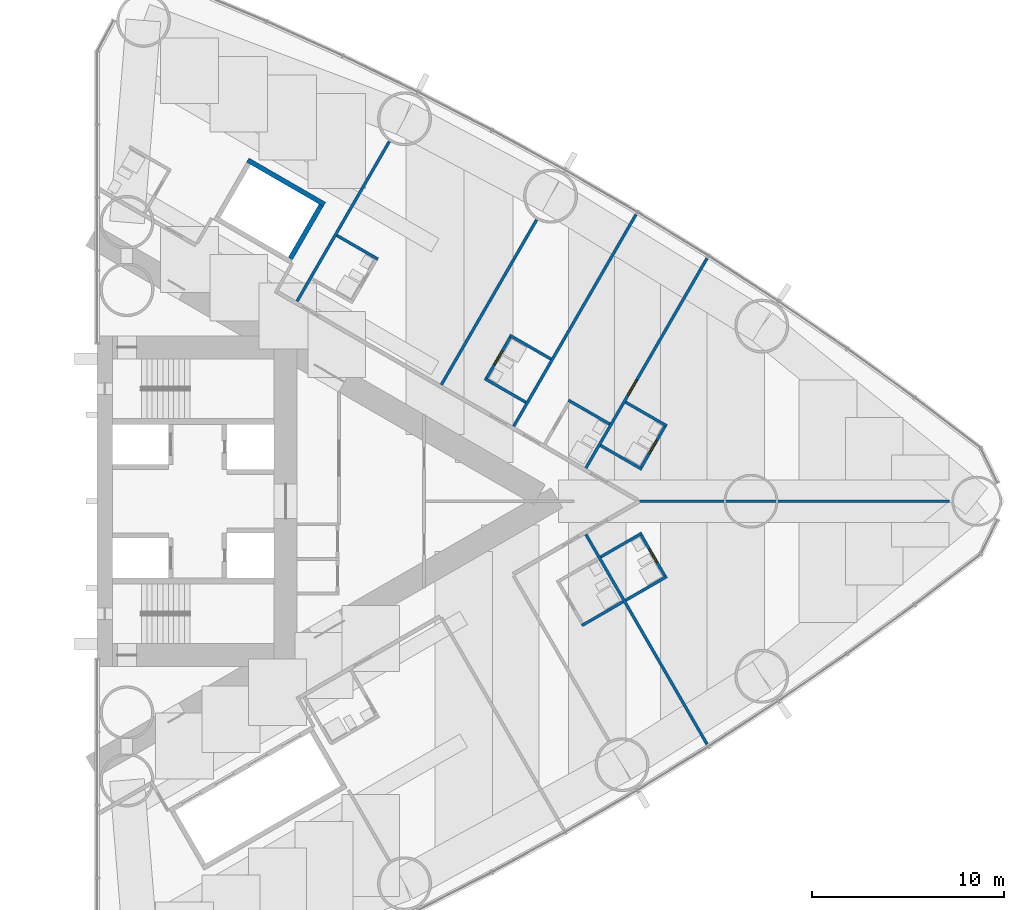
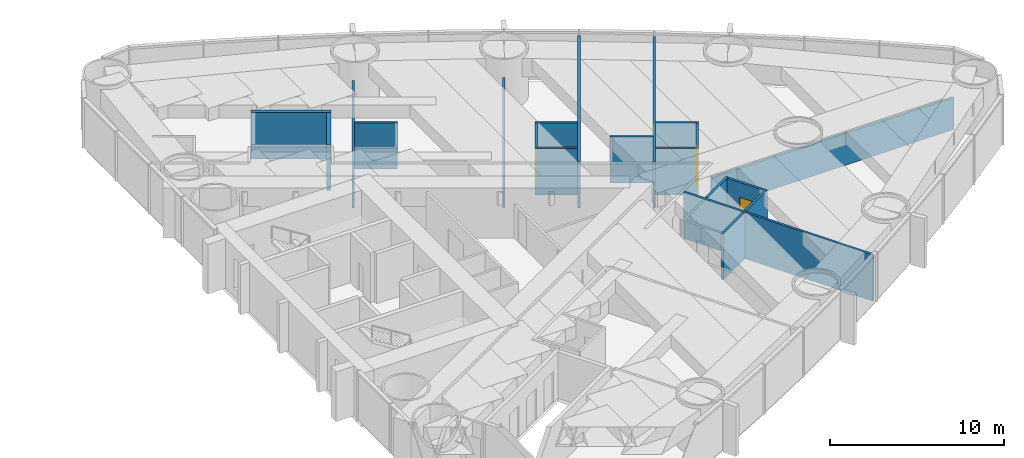
# One storey, part 16 of 19: 20 walls, 4 doors, 4 openings.
"""IFC4 building model written with IfcOpenShell, lengths in metres."""

from ifc_helpers import new_model, si_unit, direction, frame, frame_2d, origin, place, context, subcontext, project, spatial, rectangle, extrude, material, layer, layer_set, type_object, element, fill, save


model = new_model("IFC4")

# Units and contexts
model_context = context("Model", 3, precision=1e-05, world=origin(), true_north=direction((0.0, 1.0)))
body_context = subcontext(model_context, "Body", "Model", "MODEL_VIEW")
ifc_project = project(units=[si_unit("LENGTHUNIT", "METRE"), si_unit("AREAUNIT", "SQUARE_METRE"), si_unit("VOLUMEUNIT", "CUBIC_METRE"), si_unit("PLANEANGLEUNIT", "RADIAN"), si_unit("MASSUNIT", "GRAM", prefix="KILO")], contexts=[model_context])

# Site, building, storey
site_placement = place(None, origin())
site = spatial("IfcSite", under=ifc_project, at=site_placement, CompositionType="ELEMENT")
building_placement = place(site_placement, origin())
building = spatial("IfcBuilding", under=site, at=building_placement, Name="Lancet Gate Hotel", CompositionType="ELEMENT")
storey_placement = place(building_placement, frame((0.0, 0.0, 18.0)))
storey = spatial("IfcBuildingStorey", under=building, at=storey_placement, Name="L03", CompositionType="ELEMENT", Elevation=18.0)

# Walls
ifc_material_1 = material(Name="Moisture resistant board partition")
ifc_layer_1 = layer(ifc_material_1, 0.14990234375)
ifc_layer_set_1 = layer_set([ifc_layer_1], Name="Bathroom wall 150")
wall_type_1 = type_object("IfcWallType", Name="Bathroom wall 150", PredefinedType="PARTITIONING", material=ifc_layer_set_1)
for number, where, z_axis, x_axis, name in (
    (1, (52.706298828125, -6.4638671875, 0.0), (0.0, 0.0, 1.0), (0.86604923931, 0.499958713387, 0.0), "T2 bathroom wall 150 L03"),
    (2, (54.979736328125, -5.1513671875, 0.0), (0.0, 0.0, 1.0), (0.86604923931, 0.499958713387, 0.0), "T2 bathroom wall 150 L03"),
):
    element("IfcWall", number, at=place(storey_placement, frame(where, z_axis=z_axis, x_axis=x_axis)), inside=storey, type_object=wall_type_1, Name=name, PredefinedType="PARTITIONING", context=body_context, shape_type="SweptSolid", body=[
        extrude(rectangle(XDim=2.474853515625, YDim=0.14990234375, at=frame_2d((1.2373046875, 0.0))), origin(), (0.0, 0.0, 1.0), 3.25),
    ])

# Wall, opening, door
wall_1_placement = place(storey_placement, frame((55.758056640625, -1.69970703125, 0.0), z_axis=(0.0, 0.0, 1.0), x_axis=(0.500006934395, -0.866021400173, 0.0)))
wall_1 = element("IfcWall", 3, at=wall_1_placement, inside=storey, type_object=wall_type_1, Name="T2 bathroom wall 150 L03", PredefinedType="PARTITIONING", context=body_context, shape_type="SweptSolid", body=[
    extrude(rectangle(XDim=2.60009765625, YDim=0.14990234375, at=frame_2d((1.300048828125, 0.0))), origin(), (0.0, 0.0, 1.0), 3.25),
])
opening_1_placement = place(wall_1_placement, frame((0.89990234375, 0.0, 0.0)))
opening_1 = element("IfcOpeningElement", 4, at=opening_1_placement, cuts=wall_1, Name="Opening 0357-B", PredefinedType="OPENING", context=body_context, shape_type="SweptSolid", body=[
    extrude(rectangle(XDim=0.800048828125, YDim=2.199951171875, at=frame_2d((0.39990234375, 1.10009765625))), frame((0.0, 0.0849609375, 0.0), z_axis=(0.0, -1.0, 0.0), x_axis=(1.0, 0.0, 0.0)), (0.0, 0.0, 1.0), 0.169921875),
])
ifc_material_2 = material(Name="Timber door set", Category="wood")
door_type_1 = type_object("IfcDoorType", Name="Bathroom door 800", OperationType="SINGLE_SWING_RIGHT", PredefinedType="DOOR", material=ifc_material_2)
door_1_placement = place(opening_1_placement, origin())
door_1 = element("IfcDoor", 5, at=door_1_placement, inside=storey, type_object=door_type_1, Name="0357-B", OperationType="SINGLE_SWING_RIGHT", OverallHeight=2.199951171875, OverallWidth=0.800048828125, PredefinedType="DOOR", context=body_context, shape_type="SweptSolid", body=[
    extrude(rectangle(XDim=0.800048828125, YDim=2.199951171875, at=frame_2d((0.39990234375, 1.10009765625))), frame((0.0, 0.02490234375, 0.0), z_axis=(0.0, -1.0, 0.0), x_axis=(1.0, 0.0, 0.0)), (0.0, 0.0, 1.0), 0.050048828125),
])
fill(opening_1, door_1)

# Walls
for number, where, z_axis, x_axis, name in (
    (6, (53.6796875, -2.89990234375, 0.0), (0.0, 0.0, 1.0), (0.866006523861, 0.500032699561, 0.0), "T2 bathroom wall 150 L03"),
    (7, (54.979736328125, 5.1513671875, 0.0), (0.0, 0.0, 1.0), (0.86604923931, -0.499958713387, 0.0), "T2 bathroom wall 150 L03"),
):
    element("IfcWall", number, at=place(storey_placement, frame(where, z_axis=z_axis, x_axis=x_axis)), inside=storey, type_object=wall_type_1, Name=name, PredefinedType="PARTITIONING", context=body_context, shape_type="SweptSolid", body=[
        extrude(rectangle(XDim=2.474853515625, YDim=0.14990234375, at=frame_2d((1.2373046875, 0.0))), origin(), (0.0, 0.0, 1.0), 3.25),
    ])

# Wall, opening, door
wall_2_placement = place(storey_placement, frame((55.758056640625, 1.69970703125, 0.0), z_axis=(0.0, 0.0, 1.0), x_axis=(0.500006934395, 0.866021400173, 0.0)))
wall_2 = element("IfcWall", 8, at=wall_2_placement, inside=storey, type_object=wall_type_1, Name="T2 bathroom wall 150 L03", PredefinedType="PARTITIONING", context=body_context, shape_type="SweptSolid", body=[
    extrude(rectangle(XDim=2.60009765625, YDim=0.14990234375, at=frame_2d((1.300048828125, 0.0))), origin(), (0.0, 0.0, 1.0), 3.25),
])
opening_2_placement = place(wall_2_placement, frame((0.89990234375, 0.0, 0.0)))
opening_2 = element("IfcOpeningElement", 9, at=opening_2_placement, cuts=wall_2, Name="Opening 0358-B", PredefinedType="OPENING", context=body_context, shape_type="SweptSolid", body=[
    extrude(rectangle(XDim=0.800048828125, YDim=2.199951171875, at=frame_2d((0.39990234375, 1.10009765625))), frame((0.0, 0.0849609375, 0.0), z_axis=(0.0, -1.0, 0.0), x_axis=(1.0, 0.0, 0.0)), (0.0, 0.0, 1.0), 0.169921875),
])
door_2_placement = place(opening_2_placement, origin())
door_2 = element("IfcDoor", 10, at=door_2_placement, inside=storey, type_object=door_type_1, Name="0358-B", OperationType="SINGLE_SWING_RIGHT", OverallHeight=2.199951171875, OverallWidth=0.800048828125, PredefinedType="DOOR", context=body_context, shape_type="SweptSolid", body=[
    extrude(rectangle(XDim=0.800048828125, YDim=2.199951171875, at=frame_2d((0.39990234375, 1.10009765625))), frame((0.0, 0.02490234375, 0.0), z_axis=(0.0, -1.0, 0.0), x_axis=(1.0, 0.0, 0.0)), (0.0, 0.0, 1.0), 0.050048828125),
])
fill(opening_2, door_2)

# Walls
for number, where, z_axis, x_axis, name in (
    (11, (53.6796875, 2.89990234375, 0.0), (0.0, 0.0, 1.0), (0.866006523861, -0.500032699561, 0.0), "T2 bathroom wall 150 L03"),
    (12, (52.00634765625, 5.25146484375, 0.0), (0.0, 0.0, 1.0), (0.866006523861, -0.500032699561, 0.0), "T2 bathroom wall 150 L03"),
    (13, (48.951171875, 8.632080078125, 0.0), (0.0, 0.0, 1.0), (0.866006523861, -0.500032699561, 0.0), "T2 bathroom wall 150 L03"),
):
    element("IfcWall", number, at=place(storey_placement, frame(where, z_axis=z_axis, x_axis=x_axis)), inside=storey, type_object=wall_type_1, Name=name, PredefinedType="PARTITIONING", context=body_context, shape_type="SweptSolid", body=[
        extrude(rectangle(XDim=2.474853515625, YDim=0.14990234375, at=frame_2d((1.2373046875, 0.0))), origin(), (0.0, 0.0, 1.0), 3.25),
    ])

# Wall, opening, door
wall_3_placement = place(storey_placement, frame((47.716064453125, 6.3427734375, 0.0), z_axis=(0.0, 0.0, 1.0), x_axis=(0.500006934395, 0.866021400173, 0.0)))
wall_3 = element("IfcWall", 14, at=wall_3_placement, inside=storey, type_object=wall_type_1, Name="T2 bathroom wall 150 L03", PredefinedType="PARTITIONING", context=body_context, shape_type="SweptSolid", body=[
    extrude(rectangle(XDim=2.60009765625, YDim=0.14990234375, at=frame_2d((1.300048828125, 0.0))), origin(), (0.0, 0.0, 1.0), 3.25),
])
opening_3_placement = place(wall_3_placement, frame((0.89990234375, 0.0, 0.0)))
opening_3 = element("IfcOpeningElement", 15, at=opening_3_placement, cuts=wall_3, Name="Opening 0360-B", PredefinedType="OPENING", context=body_context, shape_type="SweptSolid", body=[
    extrude(rectangle(XDim=0.800048828125, YDim=2.199951171875, at=frame_2d((0.39990234375, 1.10009765625))), frame((0.0, 0.0849609375, 0.0), z_axis=(0.0, -1.0, 0.0), x_axis=(1.0, 0.0, 0.0)), (0.0, 0.0, 1.0), 0.169921875),
])
door_3_placement = place(opening_3_placement, origin())
door_3 = element("IfcDoor", 16, at=door_3_placement, inside=storey, type_object=door_type_1, Name="0360-B", OperationType="SINGLE_SWING_RIGHT", OverallHeight=2.199951171875, OverallWidth=0.800048828125, PredefinedType="DOOR", context=body_context, shape_type="SweptSolid", body=[
    extrude(rectangle(XDim=0.800048828125, YDim=2.199951171875, at=frame_2d((0.39990234375, 1.10009765625))), frame((0.0, 0.02490234375, 0.0), z_axis=(0.0, -1.0, 0.0), x_axis=(1.0, 0.0, 0.0)), (0.0, 0.0, 1.0), 0.050048828125),
])
fill(opening_3, door_3)

# Walls
wall_4_placement = place(storey_placement, frame((47.651123046875, 6.38037109375, 0.0), z_axis=(0.0, 0.0, 1.0), x_axis=(0.866031185235, -0.4999899861, 0.0)))
element("IfcWall", 17, at=wall_4_placement, inside=storey, type_object=wall_type_1, Name="T2 bathroom wall 150 L03", PredefinedType="PARTITIONING", context=body_context, shape_type="SweptSolid", body=[
    extrude(rectangle(XDim=2.47509765625, YDim=0.14990234375, at=frame_2d((1.237548828125, 0.0))), origin(), (0.0, 0.0, 1.0), 3.25),
])
wall_5_placement = place(storey_placement, frame((39.960205078125, 13.822998046875, 0.0), z_axis=(0.0, 0.0, 1.0), x_axis=(0.866006523861, -0.500032699561, 0.0)))
element("IfcWall", 18, at=wall_5_placement, inside=storey, type_object=wall_type_1, Name="T2 bathroom wall 150 L03", PredefinedType="PARTITIONING", context=body_context, shape_type="SweptSolid", body=[
    extrude(rectangle(XDim=2.474853515625, YDim=0.14990234375, at=frame_2d((1.2373046875, 0.0))), origin(), (0.0, 0.0, 1.0), 3.25),
])
ifc_material_3 = material(Name="Gypsum board partition")
ifc_layer_2 = layer(ifc_material_3, 0.25)
ifc_layer_set_2 = layer_set([ifc_layer_2], Name="Lift shaft partition 250")
wall_type_2 = type_object("IfcWallType", Name="Lift shaft partition 250", PredefinedType="PARTITIONING", material=ifc_layer_set_2)
wall_6_placement = place(storey_placement, frame((35.33349609375, 17.73583984375, 0.0), z_axis=(0.0, 0.0, 1.0), x_axis=(0.866043305498, -0.49996899204, 0.0)))
element("IfcWall", 19, at=wall_6_placement, inside=storey, type_object=wall_type_2, Name="T2 lift shaft wall EX L03", PredefinedType="PARTITIONING", context=body_context, shape_type="SweptSolid", body=[
    extrude(rectangle(XDim=4.600341796875, YDim=0.25, at=frame_2d((2.30029296875, 0.0))), origin(), (0.0, 0.0, 1.0), 3.25),
])
wall_7_placement = place(storey_placement, frame((37.546630859375, 12.617919921875, 0.0), z_axis=(0.0, 0.0, 1.0), x_axis=(0.499929347863, 0.866066190972, 0.0)))
element("IfcWall", 20, at=wall_7_placement, inside=storey, type_object=wall_type_2, Name="T2 lift shaft wall EX L03", PredefinedType="PARTITIONING", context=body_context, shape_type="SweptSolid", body=[
    extrude(rectangle(XDim=3.20068359375, YDim=0.25, at=frame_2d((1.600341796875, 0.0))), origin(), (0.0, 0.0, 1.0), 3.25),
])
ifc_material_4 = material(Name="Gypsum board partition")
ifc_layer_3 = layer(ifc_material_4, 0.14990234375)
ifc_layer_set_3 = layer_set([ifc_layer_3], Name="Party wall 150")
wall_type_3 = type_object("IfcWallType", Name="Party wall 150", PredefinedType="PARTITIONING", material=ifc_layer_set_3)
wall_8_placement = place(storey_placement, frame((52.914794921875, -1.724853515625, 0.0), z_axis=(0.0, 0.0, 1.0), x_axis=(0.499997163113, -0.866027041656, 0.0)))
element("IfcWall", 21, at=wall_8_placement, inside=storey, type_object=wall_type_3, Name="T2 party wall 150 L03", PredefinedType="PARTITIONING", context=body_context, shape_type="SweptSolid", body=[
    extrude(rectangle(XDim=12.5908203125, YDim=0.14990234375, at=frame_2d((6.29541015625, 0.0))), origin(), (0.0, 0.0, 1.0), 3.25),
])
wall_9_placement = place(storey_placement, frame((37.895263671875, 10.396484375, 0.0), z_axis=(0.0, 0.0, 1.0), x_axis=(0.499995616528, 0.866027934568, 0.0)))
element("IfcWall", 22, at=wall_9_placement, inside=storey, type_object=wall_type_3, Name="T2 party wall 150 L03", PredefinedType="PARTITIONING", context=body_context, shape_type="SweptSolid", body=[
    extrude(rectangle(XDim=9.59326171875, YDim=0.14990234375, at=frame_2d((4.796630859375, 0.0))), origin(), (0.0, 0.0, 1.0), 2.25),
])
wall_10_placement = place(storey_placement, frame((45.40283203125, 6.061767578125, 0.0), z_axis=(0.0, 0.0, 1.0), x_axis=(0.500013434677, 0.866017647131, 0.0)))
element("IfcWall", 23, at=wall_10_placement, inside=storey, type_object=wall_type_3, Name="T2 party wall 150 L03", PredefinedType="PARTITIONING", context=body_context, shape_type="SweptSolid", body=[
    extrude(rectangle(XDim=9.901611328125, YDim=0.14990234375, at=frame_2d((4.95068359375, 0.0))), origin(), (0.0, 0.0, 1.0), 2.25),
])
wall_11_placement = place(storey_placement, frame((49.159423828125, 3.892822265625, 0.0), z_axis=(0.0, 0.0, 1.0), x_axis=(0.499995664361, 0.866027906952, 0.0)))
element("IfcWall", 24, at=wall_11_placement, inside=storey, type_object=wall_type_3, Name="T2 party wall 150 L03", PredefinedType="PARTITIONING", context=body_context, shape_type="SweptSolid", body=[
    extrude(rectangle(XDim=12.71142578125, YDim=0.14990234375, at=frame_2d((6.355712890625, 0.0))), origin(), (0.0, 0.0, 1.0), 3.25),
])

# Wall, opening, door
wall_12_placement = place(storey_placement, frame((52.914794921875, 1.724853515625, 0.0), z_axis=(0.0, 0.0, 1.0), x_axis=(0.499997163113, 0.866027041656, 0.0)))
wall_12 = element("IfcWall", 25, at=wall_12_placement, inside=storey, type_object=wall_type_3, Name="T2 party wall 150 L03", PredefinedType="PARTITIONING", context=body_context, shape_type="SweptSolid", body=[
    extrude(rectangle(XDim=12.5908203125, YDim=0.14990234375, at=frame_2d((6.29541015625, 0.0))), origin(), (0.0, 0.0, 1.0), 3.25),
])
opening_4_placement = place(wall_12_placement, frame((4.375, 0.0, 0.0)))
opening_4 = element("IfcOpeningElement", 26, at=opening_4_placement, cuts=wall_12, Name="Opening 0358C", PredefinedType="OPENING", context=body_context, shape_type="SweptSolid", body=[
    extrude(rectangle(XDim=0.89990234375, YDim=2.199951171875, at=frame_2d((0.449951171875, 1.10009765625))), frame((0.0, 0.0849609375, 0.0), z_axis=(0.0, -1.0, 0.0), x_axis=(1.0, 0.0, 0.0)), (0.0, 0.0, 1.0), 0.169921875),
])
ifc_material_5 = material(Name="Timber door set", Category="wood")
door_type_2 = type_object("IfcDoorType", Name="Connecting door 900", OperationType="SINGLE_SWING_LEFT", PredefinedType="DOOR", material=ifc_material_5)
door_4_placement = place(opening_4_placement, origin())
door_4 = element("IfcDoor", 27, at=door_4_placement, inside=storey, type_object=door_type_2, Name="0358C", OperationType="SINGLE_SWING_LEFT", OverallHeight=2.199951171875, OverallWidth=0.89990234375, PredefinedType="DOOR", context=body_context, shape_type="SweptSolid", body=[
    extrude(rectangle(XDim=0.89990234375, YDim=2.199951171875, at=frame_2d((0.449951171875, 1.10009765625))), frame((0.0, 0.02490234375, 0.0), z_axis=(0.0, -1.0, 0.0), x_axis=(1.0, 0.0, 0.0)), (0.0, 0.0, 1.0), 0.050048828125),
])
fill(opening_4, door_4)

# Wall
wall_13_placement = place(storey_placement, frame((55.7021484375, 0.0, 0.0), z_axis=(0.0, 0.0, 1.0), x_axis=(1.0, 0.0, 0.0)))
element("IfcWall", 28, at=wall_13_placement, inside=storey, type_object=wall_type_3, Name="T2 party wall 150 L03", PredefinedType="PARTITIONING", context=body_context, shape_type="SweptSolid", body=[
    extrude(rectangle(XDim=16.116943359375, YDim=0.14990234375, at=frame_2d((8.05859375, 0.0))), origin(), (0.0, 0.0, 1.0), 2.25),
])

save(model, "model.ifc")
